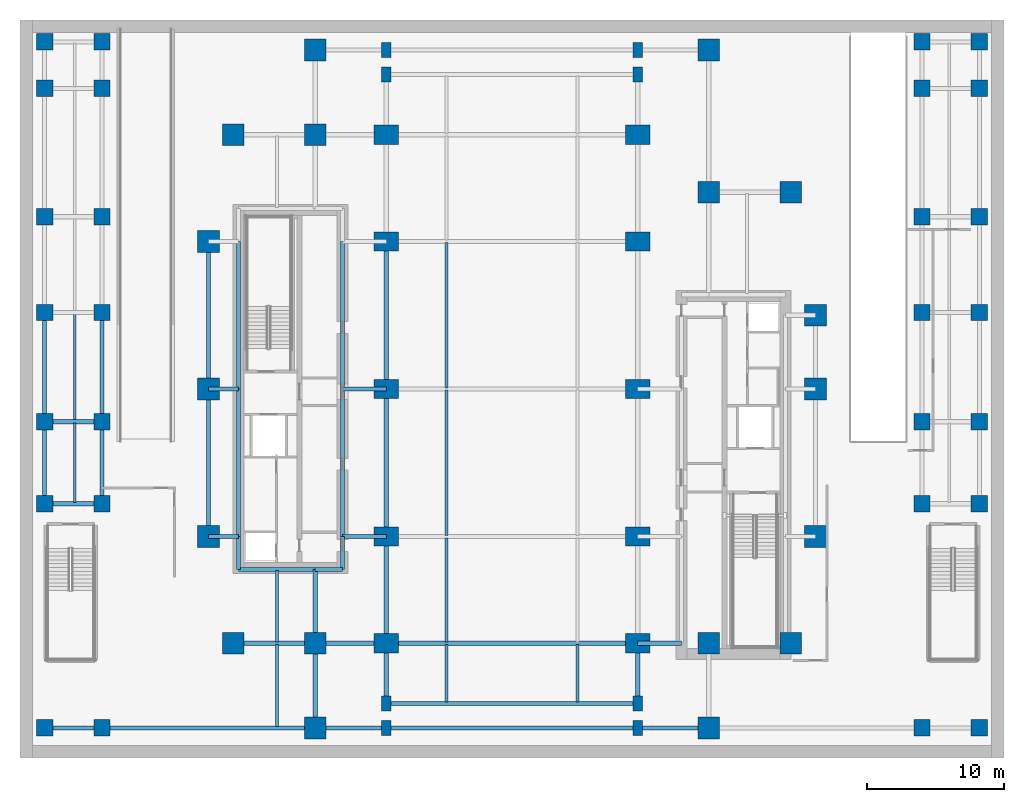
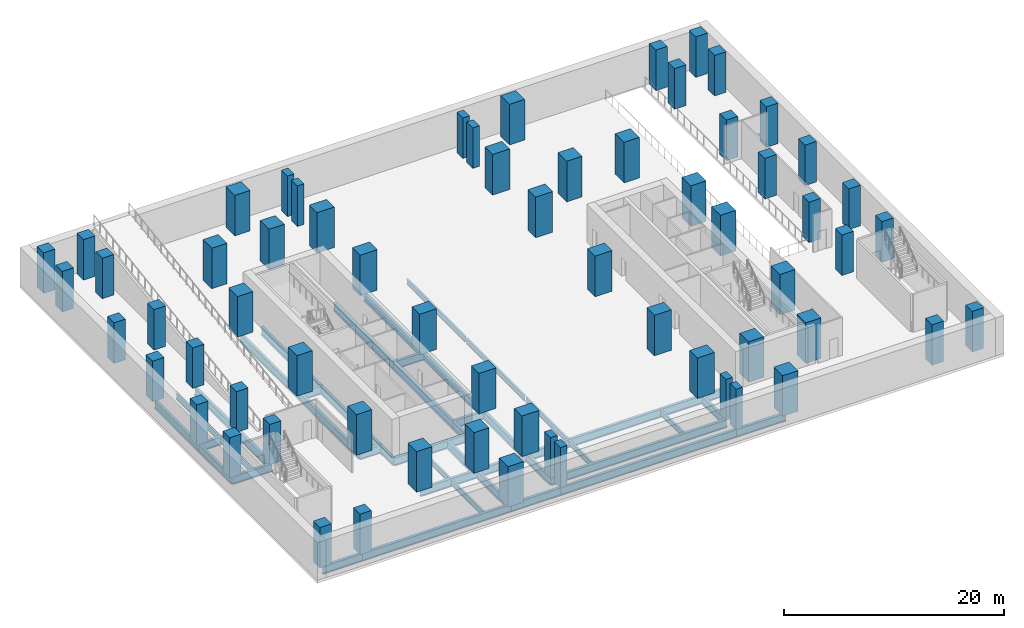
# One storey, part 1 of 14: 64 columns, 46 beams.
"""IFC4 building model written with IfcOpenShell, lengths in metres."""

from ifc_helpers import new_model, si_unit, direction, frame, origin, origin_2d, place, context, subcontext, project, spatial, rectangle, i_section, extrude, material, material_profile, profile_set, type_object, element, save


model = new_model("IFC4")

# Units and contexts
model_context = context("Model", 3, precision=1e-05, world=origin(), true_north=direction((0.0, 1.0)))
body_context = subcontext(model_context, "Body", "Model", "MODEL_VIEW")
ifc_project = project(units=[si_unit("LENGTHUNIT", "METRE"), si_unit("AREAUNIT", "SQUARE_METRE"), si_unit("VOLUMEUNIT", "CUBIC_METRE"), si_unit("PLANEANGLEUNIT", "RADIAN"), si_unit("MASSUNIT", "GRAM", prefix="KILO")], contexts=[model_context])

# Site, building, storey
site_placement = place(None, origin())
site = spatial("IfcSite", under=ifc_project, at=site_placement, CompositionType="ELEMENT")
building_placement = place(site_placement, origin())
building = spatial("IfcBuilding", under=site, at=building_placement, Name="Khairoan Windgate Tower", CompositionType="ELEMENT")
storey_placement = place(building_placement, frame((0.0, 0.0, -4.5)))
storey = spatial("IfcBuildingStorey", under=building, at=storey_placement, Name="B1", CompositionType="ELEMENT", Elevation=-4.5)

# Columns
ifc_material_1 = material(Name="Concrete C60/75", Category="concrete")
ifc_material_profile_1 = material_profile(ifc_material_1, rectangle(XDim=0.699951171875, YDim=1.10009765625, at=origin_2d()))
ifc_profile_set_1 = profile_set([ifc_material_profile_1], Name="Concrete C60/75")
column_type_1 = type_object("IfcColumnType", Name="Arch Pilaster CP1 RC700x1100", PredefinedType="PILASTER", material=ifc_profile_set_1)
for number, where, z_axis, x_axis, name in (
    (1, (-9.199951171875, -24.800048828125, 0.0), (0.0, 0.0, 1.0), (1.0, 0.0, 0.0), "Column B1-51"),
    (2, (-9.199951171875, 24.800048828125, 0.0), (0.0, 0.0, 1.0), (1.0, 0.0, 0.0), "Column B1-52"),
    (3, (9.199951171875, -24.800048828125, 0.0), (0.0, 0.0, 1.0), (1.0, 0.0, 0.0), "Column B1-53"),
    (4, (9.199951171875, 24.800048828125, 0.0), (0.0, 0.0, 1.0), (1.0, 0.0, 0.0), "Column B1-54"),
    (5, (-9.199951171875, -23.0, 0.0), (0.0, 0.0, 1.0), (1.0, 0.0, 0.0), "Inner Arch Pier Pilaster B1-01"),
    (6, (-9.199951171875, 23.0, 0.0), (0.0, 0.0, 1.0), (1.0, 0.0, 0.0), "Inner Arch Pier Pilaster B1-02"),
    (7, (9.199951171875, -23.0, 0.0), (0.0, 0.0, 1.0), (1.0, 0.0, 0.0), "Inner Arch Pier Pilaster B1-03"),
    (8, (9.199951171875, 23.0, 0.0), (0.0, 0.0, 1.0), (1.0, 0.0, 0.0), "Inner Arch Pier Pilaster B1-04"),
):
    element("IfcColumn", number, at=place(storey_placement, frame(where, z_axis=z_axis, x_axis=x_axis)), inside=storey, type_object=column_type_1, Name=name, PredefinedType="PILASTER", context=body_context, shape_type="SweptSolid", body=[
        extrude(rectangle(XDim=0.699951171875, YDim=1.10009765625, at=origin_2d()), origin(), (0.0, 0.0, 1.0), 4.5),
    ])
ifc_material_2 = material(Name="Concrete C70/85", Category="concrete")
ifc_material_profile_2 = material_profile(ifc_material_2, rectangle(XDim=1.800048828125, YDim=1.39990234375, at=origin_2d()))
ifc_profile_set_2 = profile_set([ifc_material_profile_2], Name="Concrete C70/85")
column_type_2 = type_object("IfcColumnType", Name="Column C-AP1 RC1800x1400", PredefinedType="COLUMN", material=ifc_profile_set_2)
for number, where, z_axis, x_axis, name in (
    (9, (-9.199951171875, -18.60009765625, 0.0), (0.0, 0.0, 1.0), (1.0, 0.0, 0.0), "Column B1-01"),
    (10, (-9.199951171875, -10.800048828125, 0.0), (0.0, 0.0, 1.0), (1.0, 0.0, 0.0), "Column B1-02"),
    (11, (-9.199951171875, 0.0, 0.0), (0.0, 0.0, 1.0), (1.0, 0.0, 0.0), "Column B1-03"),
    (12, (-9.199951171875, 10.800048828125, 0.0), (0.0, 0.0, 1.0), (1.0, 0.0, 0.0), "Column B1-04"),
    (13, (-9.199951171875, 18.60009765625, 0.0), (0.0, 0.0, 1.0), (1.0, 0.0, 0.0), "Column B1-05"),
    (14, (9.199951171875, -18.60009765625, 0.0), (0.0, 0.0, 1.0), (1.0, 0.0, 0.0), "Column B1-06"),
    (15, (9.199951171875, -10.800048828125, 0.0), (0.0, 0.0, 1.0), (1.0, 0.0, 0.0), "Column B1-07"),
    (16, (9.199951171875, 0.0, 0.0), (0.0, 0.0, 1.0), (1.0, 0.0, 0.0), "Column B1-08"),
    (17, (9.199951171875, 10.800048828125, 0.0), (0.0, 0.0, 1.0), (1.0, 0.0, 0.0), "Column B1-09"),
    (18, (9.199951171875, 18.60009765625, 0.0), (0.0, 0.0, 1.0), (1.0, 0.0, 0.0), "Column B1-10"),
):
    element("IfcColumn", number, at=place(storey_placement, frame(where, z_axis=z_axis, x_axis=x_axis)), inside=storey, type_object=column_type_2, Name=name, PredefinedType="COLUMN", context=body_context, shape_type="SweptSolid", body=[
        extrude(rectangle(XDim=1.800048828125, YDim=1.39990234375, at=origin_2d()), origin(), (0.0, 0.0, 1.0), 4.5),
    ])
ifc_material_3 = material(Name="Concrete C70/85", Category="concrete")
ifc_material_profile_3 = material_profile(ifc_material_3, rectangle(XDim=1.60009765625, YDim=1.60009765625, at=origin_2d()))
ifc_profile_set_3 = profile_set([ifc_material_profile_3], Name="Concrete C70/85")
column_type_3 = type_object("IfcColumnType", Name="Column C-T1 RC1600x1600", PredefinedType="COLUMN", material=ifc_profile_set_3)
for number, where, z_axis, x_axis, name in (
    (19, (-20.39990234375, -18.60009765625, 0.0), (0.0, 0.0, 1.0), (1.0, 0.0, 0.0), "Column B1-11"),
    (20, (-20.39990234375, 18.60009765625, 0.0), (0.0, 0.0, 1.0), (1.0, 0.0, 0.0), "Column B1-12"),
    (21, (20.39990234375, -18.60009765625, 0.0), (0.0, 0.0, 1.0), (1.0, 0.0, 0.0), "Column B1-13"),
    (22, (20.39990234375, 14.39990234375, 0.0), (0.0, 0.0, 1.0), (1.0, 0.0, 0.0), "Column B1-14"),
    (23, (-14.39990234375, -18.60009765625, 0.0), (0.0, 0.0, 1.0), (1.0, 0.0, 0.0), "Column B1-15"),
    (24, (-14.39990234375, 18.60009765625, 0.0), (0.0, 0.0, 1.0), (1.0, 0.0, 0.0), "Column B1-16"),
    (25, (14.39990234375, -18.60009765625, 0.0), (0.0, 0.0, 1.0), (1.0, 0.0, 0.0), "Column B1-17"),
    (26, (14.39990234375, 14.39990234375, 0.0), (0.0, 0.0, 1.0), (1.0, 0.0, 0.0), "Column B1-18"),
    (27, (-22.199951171875, -10.800048828125, 0.0), (0.0, 0.0, 1.0), (1.0, 0.0, 0.0), "Column B1-55"),
    (28, (-22.199951171875, 0.0, 0.0), (0.0, 0.0, 1.0), (1.0, 0.0, 0.0), "Column B1-56"),
    (29, (-22.199951171875, 10.800048828125, 0.0), (0.0, 0.0, 1.0), (1.0, 0.0, 0.0), "Column B1-57"),
    (30, (22.199951171875, -10.800048828125, 0.0), (0.0, 0.0, 1.0), (1.0, 0.0, 0.0), "Column B1-58"),
    (31, (22.199951171875, 0.0, 0.0), (0.0, 0.0, 1.0), (1.0, 0.0, 0.0), "Column B1-59"),
    (32, (22.199951171875, 5.39990234375, 0.0), (0.0, 0.0, 1.0), (1.0, 0.0, 0.0), "Column B1-60"),
    (33, (-14.39990234375, -24.800048828125, 0.0), (0.0, 0.0, 1.0), (1.0, 0.0, 0.0), "Column B1-61"),
    (34, (-14.39990234375, 24.800048828125, 0.0), (0.0, 0.0, 1.0), (1.0, 0.0, 0.0), "Column B1-62"),
    (35, (14.39990234375, -24.800048828125, 0.0), (0.0, 0.0, 1.0), (1.0, 0.0, 0.0), "Column B1-63"),
    (36, (14.39990234375, 24.800048828125, 0.0), (0.0, 0.0, 1.0), (1.0, 0.0, 0.0), "Column B1-64"),
):
    element("IfcColumn", number, at=place(storey_placement, frame(where, z_axis=z_axis, x_axis=x_axis)), inside=storey, type_object=column_type_3, Name=name, PredefinedType="COLUMN", context=body_context, shape_type="SweptSolid", body=[
        extrude(rectangle(XDim=1.60009765625, YDim=1.60009765625, at=origin_2d()), origin(), (0.0, 0.0, 1.0), 4.5),
    ])
ifc_material_4 = material(Name="Concrete C60/75", Category="concrete")
ifc_material_profile_4 = material_profile(ifc_material_4, rectangle(XDim=1.199951171875, YDim=1.199951171875, at=origin_2d()))
ifc_profile_set_4 = profile_set([ifc_material_profile_4], Name="Concrete C60/75")
column_type_4 = type_object("IfcColumnType", Name="Column C-T3 RC1200x1200", PredefinedType="COLUMN", material=ifc_profile_set_4)
for number, where, z_axis, x_axis, name in (
    (37, (-34.199951171875, -24.800048828125, 0.0), (0.0, 0.0, 1.0), (1.0, 0.0, 0.0), "Column B1-19"),
    (38, (-34.199951171875, -8.39990234375, 0.0), (0.0, 0.0, 1.0), (1.0, 0.0, 0.0), "Column B1-21"),
    (39, (-34.199951171875, -2.39990234375, 0.0), (0.0, 0.0, 1.0), (1.0, 0.0, 0.0), "Column B1-22"),
    (40, (-34.199951171875, 5.60009765625, 0.0), (0.0, 0.0, 1.0), (1.0, 0.0, 0.0), "Column B1-23"),
    (41, (-34.199951171875, 12.60009765625, 0.0), (0.0, 0.0, 1.0), (1.0, 0.0, 0.0), "Column B1-24"),
    (42, (-34.199951171875, 22.0, 0.0), (0.0, 0.0, 1.0), (1.0, 0.0, 0.0), "Column B1-25"),
    (43, (-34.199951171875, 25.39990234375, 0.0), (0.0, 0.0, 1.0), (1.0, 0.0, 0.0), "Column B1-26"),
    (44, (-30.0, -24.800048828125, 0.0), (0.0, 0.0, 1.0), (1.0, 0.0, 0.0), "Column B1-27"),
    (45, (-30.0, -8.39990234375, 0.0), (0.0, 0.0, 1.0), (1.0, 0.0, 0.0), "Column B1-29"),
    (46, (-30.0, -2.39990234375, 0.0), (0.0, 0.0, 1.0), (1.0, 0.0, 0.0), "Column B1-30"),
    (47, (-30.0, 5.60009765625, 0.0), (0.0, 0.0, 1.0), (1.0, 0.0, 0.0), "Column B1-31"),
    (48, (-30.0, 12.60009765625, 0.0), (0.0, 0.0, 1.0), (1.0, 0.0, 0.0), "Column B1-32"),
    (49, (-30.0, 22.0, 0.0), (0.0, 0.0, 1.0), (1.0, 0.0, 0.0), "Column B1-33"),
    (50, (-30.0, 25.39990234375, 0.0), (0.0, 0.0, 1.0), (1.0, 0.0, 0.0), "Column B1-34"),
    (51, (30.0, -24.800048828125, 0.0), (0.0, 0.0, 1.0), (1.0, 0.0, 0.0), "Column B1-35"),
    (52, (30.0, -8.39990234375, 0.0), (0.0, 0.0, 1.0), (1.0, 0.0, 0.0), "Column B1-37"),
    (53, (30.0, -2.39990234375, 0.0), (0.0, 0.0, 1.0), (1.0, 0.0, 0.0), "Column B1-38"),
    (54, (30.0, 5.60009765625, 0.0), (0.0, 0.0, 1.0), (1.0, 0.0, 0.0), "Column B1-39"),
    (55, (30.0, 12.60009765625, 0.0), (0.0, 0.0, 1.0), (1.0, 0.0, 0.0), "Column B1-40"),
    (56, (30.0, 22.0, 0.0), (0.0, 0.0, 1.0), (1.0, 0.0, 0.0), "Column B1-41"),
    (57, (30.0, 25.39990234375, 0.0), (0.0, 0.0, 1.0), (1.0, 0.0, 0.0), "Column B1-42"),
    (58, (34.199951171875, -24.800048828125, 0.0), (0.0, 0.0, 1.0), (1.0, 0.0, 0.0), "Column B1-43"),
    (59, (34.199951171875, -8.39990234375, 0.0), (0.0, 0.0, 1.0), (1.0, 0.0, 0.0), "Column B1-45"),
    (60, (34.199951171875, -2.39990234375, 0.0), (0.0, 0.0, 1.0), (1.0, 0.0, 0.0), "Column B1-46"),
    (61, (34.199951171875, 5.60009765625, 0.0), (0.0, 0.0, 1.0), (1.0, 0.0, 0.0), "Column B1-47"),
    (62, (34.199951171875, 12.60009765625, 0.0), (0.0, 0.0, 1.0), (1.0, 0.0, 0.0), "Column B1-48"),
    (63, (34.199951171875, 22.0, 0.0), (0.0, 0.0, 1.0), (1.0, 0.0, 0.0), "Column B1-49"),
    (64, (34.199951171875, 25.39990234375, 0.0), (0.0, 0.0, 1.0), (1.0, 0.0, 0.0), "Column B1-50"),
):
    element("IfcColumn", number, at=place(storey_placement, frame(where, z_axis=z_axis, x_axis=x_axis)), inside=storey, type_object=column_type_4, Name=name, PredefinedType="COLUMN", context=body_context, shape_type="SweptSolid", body=[
        extrude(rectangle(XDim=1.199951171875, YDim=1.199951171875, at=origin_2d()), origin(), (0.0, 0.0, 1.0), 4.5),
    ])

# Beams
ifc_material_5 = material(Name="Steel S355", Category="steel")
ifc_material_profile_5 = material_profile(ifc_material_5, i_section(OverallWidth=0.300048828125, OverallDepth=0.89990234375, WebThickness=0.01611328125, FlangeThickness=0.028076171875, FilletRadius=0.028076171875, at=origin_2d()))
ifc_profile_set_5 = profile_set([ifc_material_profile_5], Name="Steel S355")
beam_type_1 = type_object("IfcBeamType", Name="Beam B-G1 H900x300x16x28", PredefinedType="BEAM", material=ifc_profile_set_5)
beam_1_placement = place(storey_placement, frame((-34.199951171875, -24.800048828125, -0.75), z_axis=(1.0, 0.0, 0.0), x_axis=(0.0, 1.0, 0.0)))
element("IfcBeam", 65, at=beam_1_placement, inside=storey, type_object=beam_type_1, Name="B1 E-W Primary Girder 01", PredefinedType="BEAM", context=body_context, shape_type="SweptSolid", body=[
    extrude(i_section(OverallWidth=0.300048828125, OverallDepth=0.89990234375, WebThickness=0.01611328125, FlangeThickness=0.028076171875, FilletRadius=0.028076171875, at=origin_2d()), origin(), (0.0, 0.0, 1.0), 4.199951171875),
])
beam_2_placement = place(storey_placement, frame((-30.0, -24.800048828125, -0.75), z_axis=(1.0, 0.0, 0.0), x_axis=(0.0, 1.0, 0.0)))
element("IfcBeam", 66, at=beam_2_placement, inside=storey, type_object=beam_type_1, Name="B1 E-W Primary Girder 02", PredefinedType="BEAM", context=body_context, shape_type="SweptSolid", body=[
    extrude(i_section(OverallWidth=0.300048828125, OverallDepth=0.89990234375, WebThickness=0.01611328125, FlangeThickness=0.028076171875, FilletRadius=0.028076171875, at=origin_2d()), origin(), (0.0, 0.0, 1.0), 15.60009765625),
])
beam_3_placement = place(storey_placement, frame((-14.39990234375, -24.800048828125, -0.75), z_axis=(1.0, 0.0, 0.0), x_axis=(0.0, 1.0, 0.0)))
element("IfcBeam", 67, at=beam_3_placement, inside=storey, type_object=beam_type_1, Name="B1 E-W Primary Girder 03", PredefinedType="BEAM", context=body_context, shape_type="SweptSolid", body=[
    extrude(i_section(OverallWidth=0.300048828125, OverallDepth=0.89990234375, WebThickness=0.01611328125, FlangeThickness=0.028076171875, FilletRadius=0.028076171875, at=origin_2d()), origin(), (0.0, 0.0, 1.0), 5.199951171875),
])
beam_4_placement = place(storey_placement, frame((-9.199951171875, -24.800048828125, -0.75), z_axis=(1.0, 0.0, 0.0), x_axis=(0.0, 1.0, 0.0)))
element("IfcBeam", 68, at=beam_4_placement, inside=storey, type_object=beam_type_1, Name="B1 E-W Primary Girder 04", PredefinedType="BEAM", context=body_context, shape_type="SweptSolid", body=[
    extrude(i_section(OverallWidth=0.300048828125, OverallDepth=0.89990234375, WebThickness=0.01611328125, FlangeThickness=0.028076171875, FilletRadius=0.028076171875, at=origin_2d()), origin(), (0.0, 0.0, 1.0), 18.39990234375),
])
beam_5_placement = place(storey_placement, frame((9.199951171875, -24.800048828125, -0.75), z_axis=(1.0, 0.0, 0.0), x_axis=(0.0, 1.0, 0.0)))
element("IfcBeam", 69, at=beam_5_placement, inside=storey, type_object=beam_type_1, Name="B1 E-W Primary Girder 05", PredefinedType="BEAM", context=body_context, shape_type="SweptSolid", body=[
    extrude(i_section(OverallWidth=0.300048828125, OverallDepth=0.89990234375, WebThickness=0.01611328125, FlangeThickness=0.028076171875, FilletRadius=0.028076171875, at=origin_2d()), origin(), (0.0, 0.0, 1.0), 5.199951171875),
])
beam_6_placement = place(storey_placement, frame((-9.199951171875, -23.0, -0.75), z_axis=(1.0, 0.0, 0.0), x_axis=(0.0, 1.0, 0.0)))
element("IfcBeam", 70, at=beam_6_placement, inside=storey, type_object=beam_type_1, Name="B1 E-W Primary Girder 08", PredefinedType="BEAM", context=body_context, shape_type="SweptSolid", body=[
    extrude(i_section(OverallWidth=0.300048828125, OverallDepth=0.89990234375, WebThickness=0.01611328125, FlangeThickness=0.028076171875, FilletRadius=0.028076171875, at=origin_2d()), origin(), (0.0, 0.0, 1.0), 18.39990234375),
])
beam_7_placement = place(storey_placement, frame((-20.39990234375, -18.60009765625, -0.75), z_axis=(1.0, 0.0, 0.0), x_axis=(0.0, 1.0, 0.0)))
element("IfcBeam", 71, at=beam_7_placement, inside=storey, type_object=beam_type_1, Name="B1 E-W Primary Girder 09", PredefinedType="BEAM", context=body_context, shape_type="SweptSolid", body=[
    extrude(i_section(OverallWidth=0.300048828125, OverallDepth=0.89990234375, WebThickness=0.01611328125, FlangeThickness=0.028076171875, FilletRadius=0.028076171875, at=origin_2d()), origin(), (0.0, 0.0, 1.0), 6.0),
])
beam_8_placement = place(storey_placement, frame((-14.39990234375, -18.60009765625, -0.75), z_axis=(1.0, 0.0, 0.0), x_axis=(0.0, 1.0, 0.0)))
element("IfcBeam", 72, at=beam_8_placement, inside=storey, type_object=beam_type_1, Name="B1 E-W Primary Girder 10", PredefinedType="BEAM", context=body_context, shape_type="SweptSolid", body=[
    extrude(i_section(OverallWidth=0.300048828125, OverallDepth=0.89990234375, WebThickness=0.01611328125, FlangeThickness=0.028076171875, FilletRadius=0.028076171875, at=origin_2d()), origin(), (0.0, 0.0, 1.0), 5.199951171875),
])
beam_9_placement = place(storey_placement, frame((-9.199951171875, -18.60009765625, -0.75), z_axis=(1.0, 0.0, 0.0), x_axis=(0.0, 1.0, 0.0)))
element("IfcBeam", 73, at=beam_9_placement, inside=storey, type_object=beam_type_1, Name="B1 E-W Primary Girder 11", PredefinedType="BEAM", context=body_context, shape_type="SweptSolid", body=[
    extrude(i_section(OverallWidth=0.300048828125, OverallDepth=0.89990234375, WebThickness=0.01611328125, FlangeThickness=0.028076171875, FilletRadius=0.028076171875, at=origin_2d()), origin(), (0.0, 0.0, 1.0), 18.39990234375),
])
beam_10_placement = place(storey_placement, frame((9.199951171875, -18.60009765625, -0.75), z_axis=(1.0, 0.0, 0.0), x_axis=(0.0, 1.0, 0.0)))
element("IfcBeam", 74, at=beam_10_placement, inside=storey, type_object=beam_type_1, Name="B1 E-W Primary Girder 12", PredefinedType="BEAM", context=body_context, shape_type="SweptSolid", body=[
    extrude(i_section(OverallWidth=0.300048828125, OverallDepth=0.89990234375, WebThickness=0.01611328125, FlangeThickness=0.028076171875, FilletRadius=0.028076171875, at=origin_2d()), origin(), (0.0, 0.0, 1.0), 3.199951171875),
])
beam_11_placement = place(storey_placement, frame((-20.0, -13.199951171875, -0.75), z_axis=(1.0, 0.0, 0.0), x_axis=(0.0, 1.0, 0.0)))
element("IfcBeam", 75, at=beam_11_placement, inside=storey, type_object=beam_type_1, Name="B1 E-W Primary Girder 13", PredefinedType="BEAM", context=body_context, shape_type="SweptSolid", body=[
    extrude(i_section(OverallWidth=0.300048828125, OverallDepth=0.89990234375, WebThickness=0.01611328125, FlangeThickness=0.028076171875, FilletRadius=0.028076171875, at=origin_2d()), origin(), (0.0, 0.0, 1.0), 5.60009765625),
])
beam_12_placement = place(storey_placement, frame((-14.39990234375, -13.199951171875, -0.75), z_axis=(1.0, 0.0, 0.0), x_axis=(0.0, 1.0, 0.0)))
element("IfcBeam", 76, at=beam_12_placement, inside=storey, type_object=beam_type_1, Name="B1 E-W Primary Girder 14", PredefinedType="BEAM", context=body_context, shape_type="SweptSolid", body=[
    extrude(i_section(OverallWidth=0.300048828125, OverallDepth=0.89990234375, WebThickness=0.01611328125, FlangeThickness=0.028076171875, FilletRadius=0.028076171875, at=origin_2d()), origin(), (0.0, 0.0, 1.0), 2.0),
])
beam_13_placement = place(storey_placement, frame((-22.199951171875, -10.800048828125, -0.75), z_axis=(1.0, 0.0, 0.0), x_axis=(0.0, 1.0, 0.0)))
element("IfcBeam", 77, at=beam_13_placement, inside=storey, type_object=beam_type_1, Name="B1 E-W Primary Girder 15", PredefinedType="BEAM", context=body_context, shape_type="SweptSolid", body=[
    extrude(i_section(OverallWidth=0.300048828125, OverallDepth=0.89990234375, WebThickness=0.01611328125, FlangeThickness=0.028076171875, FilletRadius=0.028076171875, at=origin_2d()), origin(), (0.0, 0.0, 1.0), 2.199951171875),
])
beam_14_placement = place(storey_placement, frame((-12.39990234375, -10.800048828125, -0.75), z_axis=(1.0, 0.0, 0.0), x_axis=(0.0, 1.0, 0.0)))
element("IfcBeam", 78, at=beam_14_placement, inside=storey, type_object=beam_type_1, Name="B1 E-W Primary Girder 16", PredefinedType="BEAM", context=body_context, shape_type="SweptSolid", body=[
    extrude(i_section(OverallWidth=0.300048828125, OverallDepth=0.89990234375, WebThickness=0.01611328125, FlangeThickness=0.028076171875, FilletRadius=0.028076171875, at=origin_2d()), origin(), (0.0, 0.0, 1.0), 3.199951171875),
])
for number, where, z_axis, x_axis, name in (
    (79, (-34.199951171875, -8.39990234375, -0.75), (1.0, 0.0, 0.0), (0.0, 1.0, 0.0), "B1 E-W Primary Girder 20"),
    (80, (-34.199951171875, -2.39990234375, -0.75), (1.0, 0.0, 0.0), (0.0, 1.0, 0.0), "B1 E-W Primary Girder 22"),
):
    element("IfcBeam", number, at=place(storey_placement, frame(where, z_axis=z_axis, x_axis=x_axis)), inside=storey, type_object=beam_type_1, Name=name, PredefinedType="BEAM", context=body_context, shape_type="SweptSolid", body=[
        extrude(i_section(OverallWidth=0.300048828125, OverallDepth=0.89990234375, WebThickness=0.01611328125, FlangeThickness=0.028076171875, FilletRadius=0.028076171875, at=origin_2d()), origin(), (0.0, 0.0, 1.0), 4.199951171875),
    ])
beam_15_placement = place(storey_placement, frame((-22.199951171875, 0.0, -0.75), z_axis=(1.0, 0.0, 0.0), x_axis=(0.0, 1.0, 0.0)))
element("IfcBeam", 81, at=beam_15_placement, inside=storey, type_object=beam_type_1, Name="B1 E-W Primary Girder 24", PredefinedType="BEAM", context=body_context, shape_type="SweptSolid", body=[
    extrude(i_section(OverallWidth=0.300048828125, OverallDepth=0.89990234375, WebThickness=0.01611328125, FlangeThickness=0.028076171875, FilletRadius=0.028076171875, at=origin_2d()), origin(), (0.0, 0.0, 1.0), 2.199951171875),
])
beam_16_placement = place(storey_placement, frame((-12.39990234375, 0.0, -0.75), z_axis=(1.0, 0.0, 0.0), x_axis=(0.0, 1.0, 0.0)))
element("IfcBeam", 82, at=beam_16_placement, inside=storey, type_object=beam_type_1, Name="B1 E-W Primary Girder 25", PredefinedType="BEAM", context=body_context, shape_type="SweptSolid", body=[
    extrude(i_section(OverallWidth=0.300048828125, OverallDepth=0.89990234375, WebThickness=0.01611328125, FlangeThickness=0.028076171875, FilletRadius=0.028076171875, at=origin_2d()), origin(), (0.0, 0.0, 1.0), 3.199951171875),
])
beam_17_placement = place(storey_placement, frame((-34.199951171875, -8.39990234375, -0.75), z_axis=(0.0, 1.0, 0.0), x_axis=(-1.0, 0.0, 0.0)))
element("IfcBeam", 83, at=beam_17_placement, inside=storey, type_object=beam_type_1, Name="B1 N-S Primary Beam 53", PredefinedType="BEAM", context=body_context, shape_type="SweptSolid", body=[
    extrude(i_section(OverallWidth=0.300048828125, OverallDepth=0.89990234375, WebThickness=0.01611328125, FlangeThickness=0.028076171875, FilletRadius=0.028076171875, at=origin_2d()), origin(), (0.0, 0.0, 1.0), 6.0),
])
beam_18_placement = place(storey_placement, frame((-34.199951171875, -2.39990234375, -0.75), z_axis=(0.0, 1.0, 0.0), x_axis=(-1.0, 0.0, 0.0)))
element("IfcBeam", 84, at=beam_18_placement, inside=storey, type_object=beam_type_1, Name="B1 N-S Primary Beam 54", PredefinedType="BEAM", context=body_context, shape_type="SweptSolid", body=[
    extrude(i_section(OverallWidth=0.300048828125, OverallDepth=0.89990234375, WebThickness=0.01611328125, FlangeThickness=0.028076171875, FilletRadius=0.028076171875, at=origin_2d()), origin(), (0.0, 0.0, 1.0), 8.0),
])
beam_19_placement = place(storey_placement, frame((-30.0, -8.39990234375, -0.75), z_axis=(0.0, 1.0, 0.0), x_axis=(-1.0, 0.0, 0.0)))
element("IfcBeam", 85, at=beam_19_placement, inside=storey, type_object=beam_type_1, Name="B1 N-S Primary Beam 58", PredefinedType="BEAM", context=body_context, shape_type="SweptSolid", body=[
    extrude(i_section(OverallWidth=0.300048828125, OverallDepth=0.89990234375, WebThickness=0.01611328125, FlangeThickness=0.028076171875, FilletRadius=0.028076171875, at=origin_2d()), origin(), (0.0, 0.0, 1.0), 6.0),
])
beam_20_placement = place(storey_placement, frame((-30.0, -2.39990234375, -0.75), z_axis=(0.0, 1.0, 0.0), x_axis=(-1.0, 0.0, 0.0)))
element("IfcBeam", 86, at=beam_20_placement, inside=storey, type_object=beam_type_1, Name="B1 N-S Primary Beam 59", PredefinedType="BEAM", context=body_context, shape_type="SweptSolid", body=[
    extrude(i_section(OverallWidth=0.300048828125, OverallDepth=0.89990234375, WebThickness=0.01611328125, FlangeThickness=0.028076171875, FilletRadius=0.028076171875, at=origin_2d()), origin(), (0.0, 0.0, 1.0), 8.0),
])
for number, where, z_axis, x_axis, name in (
    (87, (-22.199951171875, -10.800048828125, -0.75), (0.0, 1.0, 0.0), (-1.0, 0.0, 0.0), "B1 N-S Primary Beam 63"),
    (88, (-22.199951171875, 0.0, -0.75), (0.0, 1.0, 0.0), (-1.0, 0.0, 0.0), "B1 N-S Primary Beam 64"),
):
    element("IfcBeam", number, at=place(storey_placement, frame(where, z_axis=z_axis, x_axis=x_axis)), inside=storey, type_object=beam_type_1, Name=name, PredefinedType="BEAM", context=body_context, shape_type="SweptSolid", body=[
        extrude(i_section(OverallWidth=0.300048828125, OverallDepth=0.89990234375, WebThickness=0.01611328125, FlangeThickness=0.028076171875, FilletRadius=0.028076171875, at=origin_2d()), origin(), (0.0, 0.0, 1.0), 10.800048828125),
    ])
beam_21_placement = place(storey_placement, frame((-20.0, -13.199951171875, -0.75), z_axis=(0.0, 1.0, 0.0), x_axis=(-1.0, 0.0, 0.0)))
element("IfcBeam", 89, at=beam_21_placement, inside=storey, type_object=beam_type_1, Name="B1 N-S Primary Beam 65", PredefinedType="BEAM", context=body_context, shape_type="SweptSolid", body=[
    extrude(i_section(OverallWidth=0.300048828125, OverallDepth=0.89990234375, WebThickness=0.01611328125, FlangeThickness=0.028076171875, FilletRadius=0.028076171875, at=origin_2d()), origin(), (0.0, 0.0, 1.0), 2.39990234375),
])
for number, where, z_axis, x_axis, name in (
    (90, (-20.0, -10.800048828125, -0.75), (0.0, 1.0, 0.0), (-1.0, 0.0, 0.0), "B1 N-S Primary Beam 66"),
    (91, (-20.0, 0.0, -0.75), (0.0, 1.0, 0.0), (-1.0, 0.0, 0.0), "B1 N-S Primary Beam 67"),
):
    element("IfcBeam", number, at=place(storey_placement, frame(where, z_axis=z_axis, x_axis=x_axis)), inside=storey, type_object=beam_type_1, Name=name, PredefinedType="BEAM", context=body_context, shape_type="SweptSolid", body=[
        extrude(i_section(OverallWidth=0.300048828125, OverallDepth=0.89990234375, WebThickness=0.01611328125, FlangeThickness=0.028076171875, FilletRadius=0.028076171875, at=origin_2d()), origin(), (0.0, 0.0, 1.0), 10.800048828125),
    ])
beam_22_placement = place(storey_placement, frame((-14.39990234375, -24.800048828125, -0.75), z_axis=(0.0, 1.0, 0.0), x_axis=(-1.0, 0.0, 0.0)))
element("IfcBeam", 92, at=beam_22_placement, inside=storey, type_object=beam_type_1, Name="B1 N-S Primary Beam 69", PredefinedType="BEAM", context=body_context, shape_type="SweptSolid", body=[
    extrude(i_section(OverallWidth=0.300048828125, OverallDepth=0.89990234375, WebThickness=0.01611328125, FlangeThickness=0.028076171875, FilletRadius=0.028076171875, at=origin_2d()), origin(), (0.0, 0.0, 1.0), 6.199951171875),
])
beam_23_placement = place(storey_placement, frame((-14.39990234375, -18.60009765625, -0.75), z_axis=(0.0, 1.0, 0.0), x_axis=(-1.0, 0.0, 0.0)))
element("IfcBeam", 93, at=beam_23_placement, inside=storey, type_object=beam_type_1, Name="B1 N-S Primary Beam 70", PredefinedType="BEAM", context=body_context, shape_type="SweptSolid", body=[
    extrude(i_section(OverallWidth=0.300048828125, OverallDepth=0.89990234375, WebThickness=0.01611328125, FlangeThickness=0.028076171875, FilletRadius=0.028076171875, at=origin_2d()), origin(), (0.0, 0.0, 1.0), 5.400146484375),
])
beam_24_placement = place(storey_placement, frame((-12.39990234375, -13.199951171875, -0.75), z_axis=(0.0, 1.0, 0.0), x_axis=(-1.0, 0.0, 0.0)))
element("IfcBeam", 94, at=beam_24_placement, inside=storey, type_object=beam_type_1, Name="B1 N-S Primary Beam 73", PredefinedType="BEAM", context=body_context, shape_type="SweptSolid", body=[
    extrude(i_section(OverallWidth=0.300048828125, OverallDepth=0.89990234375, WebThickness=0.01611328125, FlangeThickness=0.028076171875, FilletRadius=0.028076171875, at=origin_2d()), origin(), (0.0, 0.0, 1.0), 2.39990234375),
])
for number, where, z_axis, x_axis, name in (
    (95, (-12.39990234375, -10.800048828125, -0.75), (0.0, 1.0, 0.0), (-1.0, 0.0, 0.0), "B1 N-S Primary Beam 74"),
    (96, (-12.39990234375, 0.0, -0.75), (0.0, 1.0, 0.0), (-1.0, 0.0, 0.0), "B1 N-S Primary Beam 75"),
):
    element("IfcBeam", number, at=place(storey_placement, frame(where, z_axis=z_axis, x_axis=x_axis)), inside=storey, type_object=beam_type_1, Name=name, PredefinedType="BEAM", context=body_context, shape_type="SweptSolid", body=[
        extrude(i_section(OverallWidth=0.300048828125, OverallDepth=0.89990234375, WebThickness=0.01611328125, FlangeThickness=0.028076171875, FilletRadius=0.028076171875, at=origin_2d()), origin(), (0.0, 0.0, 1.0), 10.800048828125),
    ])
beam_25_placement = place(storey_placement, frame((-9.199951171875, -23.0, -0.75), z_axis=(0.0, 1.0, 0.0), x_axis=(-1.0, 0.0, 0.0)))
element("IfcBeam", 97, at=beam_25_placement, inside=storey, type_object=beam_type_1, Name="B1 N-S Primary Beam 77", PredefinedType="BEAM", context=body_context, shape_type="SweptSolid", body=[
    extrude(i_section(OverallWidth=0.300048828125, OverallDepth=0.89990234375, WebThickness=0.01611328125, FlangeThickness=0.028076171875, FilletRadius=0.028076171875, at=origin_2d()), origin(), (0.0, 0.0, 1.0), 4.39990234375),
])
beam_26_placement = place(storey_placement, frame((-9.199951171875, -18.60009765625, -0.75), z_axis=(0.0, 1.0, 0.0), x_axis=(-1.0, 0.0, 0.0)))
element("IfcBeam", 98, at=beam_26_placement, inside=storey, type_object=beam_type_1, Name="B1 N-S Primary Beam 78", PredefinedType="BEAM", context=body_context, shape_type="SweptSolid", body=[
    extrude(i_section(OverallWidth=0.300048828125, OverallDepth=0.89990234375, WebThickness=0.01611328125, FlangeThickness=0.028076171875, FilletRadius=0.028076171875, at=origin_2d()), origin(), (0.0, 0.0, 1.0), 7.800048828125),
])
for number, where, z_axis, x_axis, name in (
    (99, (-9.199951171875, -10.800048828125, -0.75), (0.0, 1.0, 0.0), (-1.0, 0.0, 0.0), "B1 N-S Primary Beam 79"),
    (100, (-9.199951171875, 0.0, -0.75), (0.0, 1.0, 0.0), (-1.0, 0.0, 0.0), "B1 N-S Primary Beam 80"),
):
    element("IfcBeam", number, at=place(storey_placement, frame(where, z_axis=z_axis, x_axis=x_axis)), inside=storey, type_object=beam_type_1, Name=name, PredefinedType="BEAM", context=body_context, shape_type="SweptSolid", body=[
        extrude(i_section(OverallWidth=0.300048828125, OverallDepth=0.89990234375, WebThickness=0.01611328125, FlangeThickness=0.028076171875, FilletRadius=0.028076171875, at=origin_2d()), origin(), (0.0, 0.0, 1.0), 10.800048828125),
    ])
beam_27_placement = place(storey_placement, frame((9.199951171875, -23.0, -0.75), z_axis=(0.0, 1.0, 0.0), x_axis=(-1.0, 0.0, 0.0)))
element("IfcBeam", 101, at=beam_27_placement, inside=storey, type_object=beam_type_1, Name="B1 N-S Primary Beam 83", PredefinedType="BEAM", context=body_context, shape_type="SweptSolid", body=[
    extrude(i_section(OverallWidth=0.300048828125, OverallDepth=0.89990234375, WebThickness=0.01611328125, FlangeThickness=0.028076171875, FilletRadius=0.028076171875, at=origin_2d()), origin(), (0.0, 0.0, 1.0), 4.39990234375),
])
ifc_material_6 = material(Name="Steel S355", Category="steel")
ifc_material_profile_6 = material_profile(ifc_material_6, i_section(OverallWidth=0.199951171875, OverallDepth=0.60009765625, WebThickness=0.010986328125, FlangeThickness=0.01708984375, FilletRadius=0.02197265625, at=origin_2d()))
ifc_profile_set_6 = profile_set([ifc_material_profile_6], Name="Steel S355")
beam_type_2 = type_object("IfcBeamType", Name="Beam J-S1 H600x200x11x17", PredefinedType="JOIST", material=ifc_profile_set_6)
beam_28_placement = place(storey_placement, frame((-32.0, -8.31005859375, -0.60009765625), z_axis=(0.0, 1.0, 0.0), x_axis=(-1.0, 0.0, 0.0)))
element("IfcBeam", 102, at=beam_28_placement, inside=storey, type_object=beam_type_2, Name="B1 Secondary Floor Joist 01", PredefinedType="JOIST", context=body_context, shape_type="SweptSolid", body=[
    extrude(i_section(OverallWidth=0.199951171875, OverallDepth=0.60009765625, WebThickness=0.010986328125, FlangeThickness=0.01708984375, FilletRadius=0.02197265625, at=origin_2d()), origin(), (0.0, 0.0, 1.0), 5.820068359375),
])
beam_29_placement = place(storey_placement, frame((-32.0, -2.31005859375, -0.60009765625), z_axis=(0.0, 1.0, 0.0), x_axis=(-1.0, 0.0, 0.0)))
element("IfcBeam", 103, at=beam_29_placement, inside=storey, type_object=beam_type_2, Name="B1 Secondary Floor Joist 02", PredefinedType="JOIST", context=body_context, shape_type="SweptSolid", body=[
    extrude(i_section(OverallWidth=0.199951171875, OverallDepth=0.60009765625, WebThickness=0.010986328125, FlangeThickness=0.01708984375, FilletRadius=0.02197265625, at=origin_2d()), origin(), (0.0, 0.0, 1.0), 7.820068359375),
])
beam_30_placement = place(storey_placement, frame((-17.199951171875, -24.7099609375, -0.60009765625), z_axis=(0.0, 1.0, 0.0), x_axis=(-1.0, 0.0, 0.0)))
element("IfcBeam", 104, at=beam_30_placement, inside=storey, type_object=beam_type_2, Name="B1 Secondary Floor Joist 06", PredefinedType="JOIST", context=body_context, shape_type="SweptSolid", body=[
    extrude(i_section(OverallWidth=0.199951171875, OverallDepth=0.60009765625, WebThickness=0.010986328125, FlangeThickness=0.01708984375, FilletRadius=0.02197265625, at=origin_2d()), origin(), (0.0, 0.0, 1.0), 6.02001953125),
])
beam_31_placement = place(storey_placement, frame((-17.199951171875, -18.510009765625, -0.60009765625), z_axis=(0.0, 1.0, 0.0), x_axis=(-1.0, 0.0, 0.0)))
element("IfcBeam", 105, at=beam_31_placement, inside=storey, type_object=beam_type_2, Name="B1 Secondary Floor Joist 07", PredefinedType="JOIST", context=body_context, shape_type="SweptSolid", body=[
    extrude(i_section(OverallWidth=0.199951171875, OverallDepth=0.60009765625, WebThickness=0.010986328125, FlangeThickness=0.01708984375, FilletRadius=0.02197265625, at=origin_2d()), origin(), (0.0, 0.0, 1.0), 5.219970703125),
])
beam_32_placement = place(storey_placement, frame((-4.800048828125, -22.909912109375, -0.60009765625), z_axis=(0.0, 1.0, 0.0), x_axis=(-1.0, 0.0, 0.0)))
element("IfcBeam", 106, at=beam_32_placement, inside=storey, type_object=beam_type_2, Name="B1 Secondary Floor Joist 09", PredefinedType="JOIST", context=body_context, shape_type="SweptSolid", body=[
    extrude(i_section(OverallWidth=0.199951171875, OverallDepth=0.60009765625, WebThickness=0.010986328125, FlangeThickness=0.01708984375, FilletRadius=0.02197265625, at=origin_2d()), origin(), (0.0, 0.0, 1.0), 4.219970703125),
])
beam_33_placement = place(storey_placement, frame((-4.800048828125, -18.510009765625, -0.60009765625), z_axis=(0.0, 1.0, 0.0), x_axis=(-1.0, 0.0, 0.0)))
element("IfcBeam", 107, at=beam_33_placement, inside=storey, type_object=beam_type_2, Name="B1 Secondary Floor Joist 10", PredefinedType="JOIST", context=body_context, shape_type="SweptSolid", body=[
    extrude(i_section(OverallWidth=0.199951171875, OverallDepth=0.60009765625, WebThickness=0.010986328125, FlangeThickness=0.01708984375, FilletRadius=0.02197265625, at=origin_2d()), origin(), (0.0, 0.0, 1.0), 7.6201171875),
])
for number, where, z_axis, x_axis, name in (
    (108, (-4.800048828125, -10.7099609375, -0.60009765625), (0.0, 1.0, 0.0), (-1.0, 0.0, 0.0), "B1 Secondary Floor Joist 11"),
    (109, (-4.800048828125, 0.090087890625, -0.60009765625), (0.0, 1.0, 0.0), (-1.0, 0.0, 0.0), "B1 Secondary Floor Joist 12"),
):
    element("IfcBeam", number, at=place(storey_placement, frame(where, z_axis=z_axis, x_axis=x_axis)), inside=storey, type_object=beam_type_2, Name=name, PredefinedType="JOIST", context=body_context, shape_type="SweptSolid", body=[
        extrude(i_section(OverallWidth=0.199951171875, OverallDepth=0.60009765625, WebThickness=0.010986328125, FlangeThickness=0.01708984375, FilletRadius=0.02197265625, at=origin_2d()), origin(), (0.0, 0.0, 1.0), 10.619873046875),
    ])
beam_34_placement = place(storey_placement, frame((4.800048828125, -22.909912109375, -0.60009765625), z_axis=(0.0, 1.0, 0.0), x_axis=(-1.0, 0.0, 0.0)))
element("IfcBeam", 110, at=beam_34_placement, inside=storey, type_object=beam_type_2, Name="B1 Secondary Floor Joist 15", PredefinedType="JOIST", context=body_context, shape_type="SweptSolid", body=[
    extrude(i_section(OverallWidth=0.199951171875, OverallDepth=0.60009765625, WebThickness=0.010986328125, FlangeThickness=0.01708984375, FilletRadius=0.02197265625, at=origin_2d()), origin(), (0.0, 0.0, 1.0), 4.219970703125),
])

save(model, "model.ifc")
